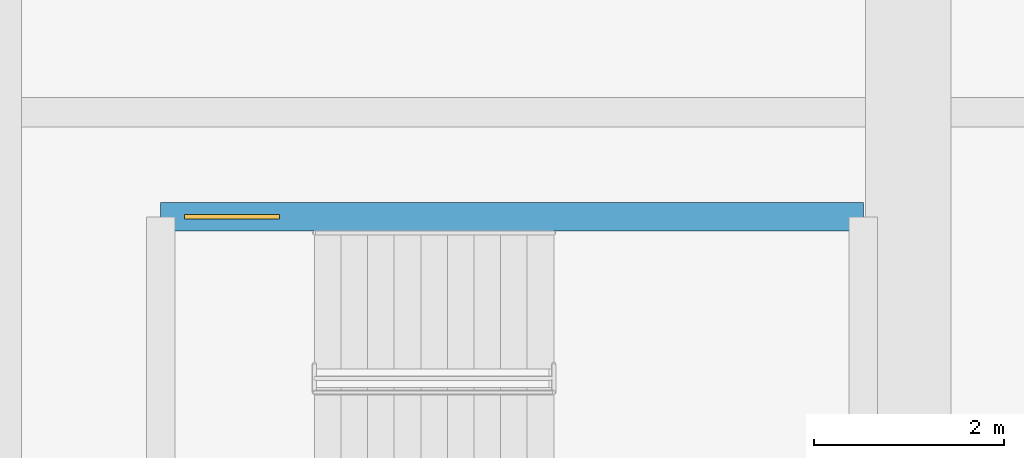
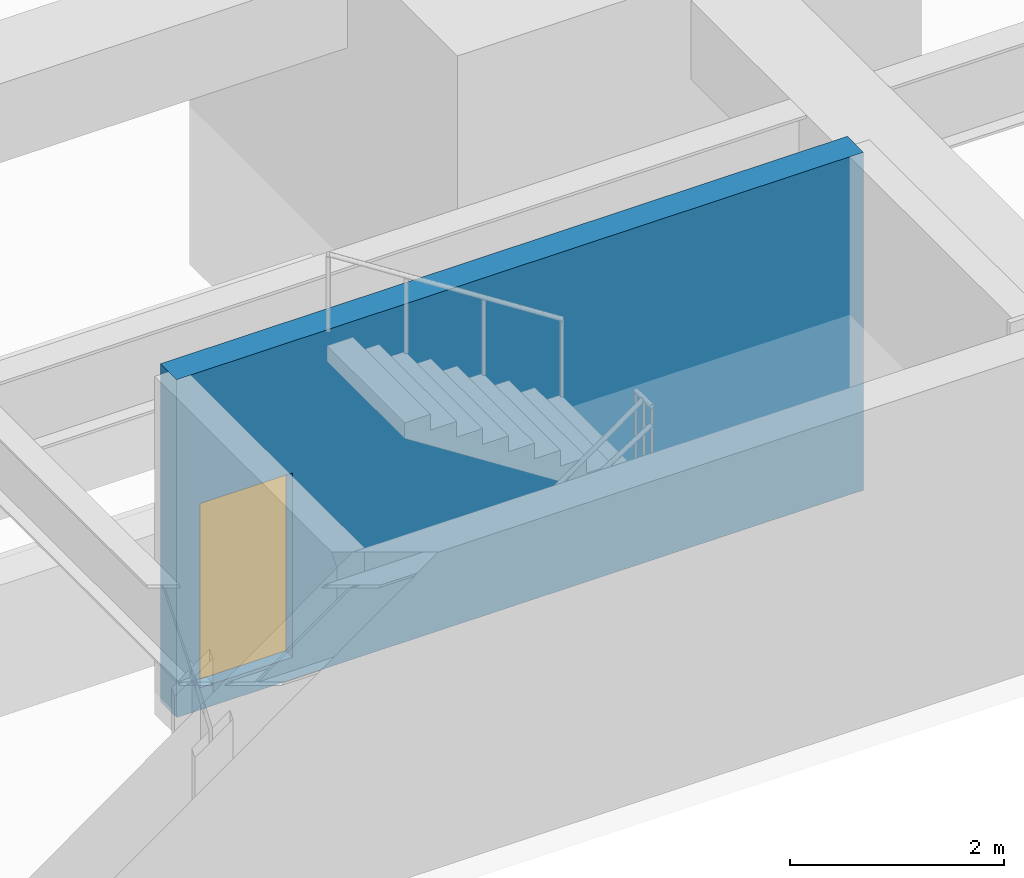
# One storey, part 10 of 35: 1 door, 1 wall, 1 opening.
"""IFC4 building model written with IfcOpenShell, lengths in metres."""

from ifc_helpers import new_model, si_unit, direction, frame, frame_2d, origin, place, context, subcontext, project, spatial, rectangle, extrude, material, layer, layer_set, type_object, element, fill, save


model = new_model("IFC4")

# Units and contexts
model_context = context("Model", 3, precision=1e-05, world=origin(), true_north=direction((0.0, 1.0)))
body_context = subcontext(model_context, "Body", "Model", "MODEL_VIEW")
ifc_project = project(units=[si_unit("LENGTHUNIT", "METRE"), si_unit("AREAUNIT", "SQUARE_METRE"), si_unit("VOLUMEUNIT", "CUBIC_METRE"), si_unit("PLANEANGLEUNIT", "RADIAN"), si_unit("MASSUNIT", "GRAM", prefix="KILO")], contexts=[model_context])

# Site, building, storey
site_placement = place(None, origin())
site = spatial("IfcSite", under=ifc_project, at=site_placement, CompositionType="ELEMENT")
building_placement = place(site_placement, origin())
building = spatial("IfcBuilding", under=site, at=building_placement, Name="Iwan Alto Co-Living Towers", CompositionType="ELEMENT")
storey_placement = place(building_placement, frame((0.0, 0.0, -7.199951171875)))
storey = spatial("IfcBuildingStorey", under=building, at=storey_placement, Name="B2", CompositionType="ELEMENT", Elevation=-7.199951171875)

# Wall, opening, door
ifc_material_1 = material(Name="Concrete f'c 70 MPa", Category="concrete")
ifc_layer = layer(ifc_material_1, 0.300048828125)
ifc_layer_set = layer_set([ifc_layer], Name="SHAFT WALL 300")
wall_type = type_object("IfcWallType", Name="SHAFT WALL 300", PredefinedType="SOLIDWALL", material=ifc_layer_set)
wall_placement = place(storey_placement, frame((19.60009765625, -32.60009765625, -0.25), z_axis=(0.0, 0.0, 1.0), x_axis=(1.0, 0.0, 0.0)))
wall = element("IfcWall", 1, at=wall_placement, inside=storey, type_object=wall_type, Name="Shaft wall B2", PredefinedType="SOLIDWALL", context=body_context, shape_type="SweptSolid", body=[
    extrude(rectangle(XDim=7.39990234375, YDim=0.300048828125, at=frame_2d((3.699951171875, 0.0))), origin(), (0.0, 0.0, 1.0), 3.849853515625),
])
opening_placement = place(wall_placement, frame((0.25, 0.0, 0.25)))
opening = element("IfcOpeningElement", 2, at=opening_placement, cuts=wall, Name="Opening D5", PredefinedType="OPENING", context=body_context, shape_type="SweptSolid", body=[
    extrude(rectangle(XDim=1.0, YDim=2.10009765625, at=frame_2d((0.5, 1.050048828125))), frame((0.0, 0.159912109375, 0.0), z_axis=(0.0, -1.0, 0.0), x_axis=(1.0, 0.0, 0.0)), (0.0, 0.0, 1.0), 0.320068359375),
])
ifc_material_2 = material(Name="Steel frame with timber leaf", Category="steel")
door_type = type_object("IfcDoorType", Name="STAIR DOOR FD120S 1000X2100", OperationType="SINGLE_SWING_LEFT", PredefinedType="DOOR", material=ifc_material_2)
door_placement = place(opening_placement, frame((1.0, 0.0, 0.0), z_axis=(0.0, 0.0, 1.0), x_axis=(-1.0, 0.0, 0.0)))
door = element("IfcDoor", 3, at=door_placement, inside=storey, type_object=door_type, Name="Stair PS4 door B2", OperationType="SINGLE_SWING_RIGHT", OverallHeight=2.10009765625, OverallWidth=1.0, PredefinedType="DOOR", context=body_context, shape_type="SweptSolid", body=[
    extrude(rectangle(XDim=1.0, YDim=2.10009765625, at=frame_2d((0.5, 1.050048828125))), frame((0.0, 0.02490234375, 0.0), z_axis=(0.0, -1.0, 0.0), x_axis=(1.0, 0.0, 0.0)), (0.0, 0.0, 1.0), 0.050048828125),
])
fill(opening, door)

save(model, "model.ifc")
